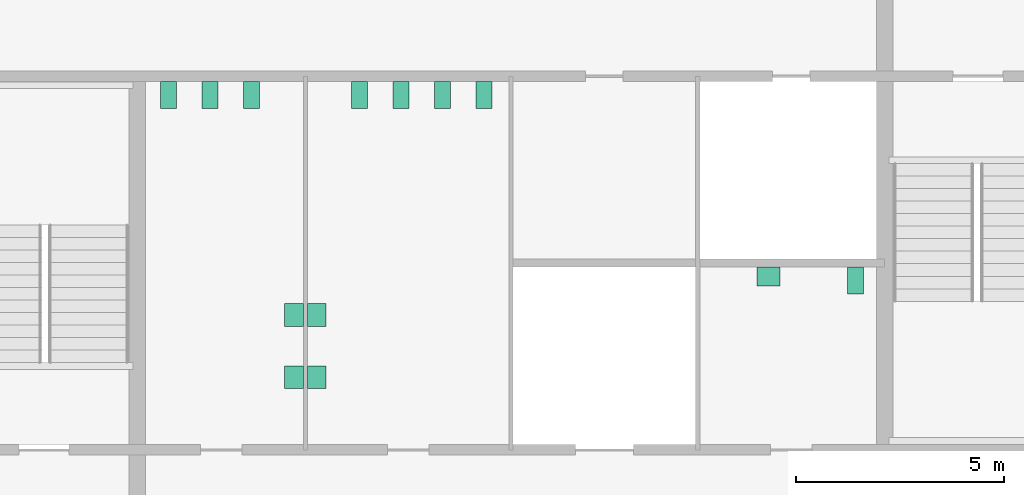
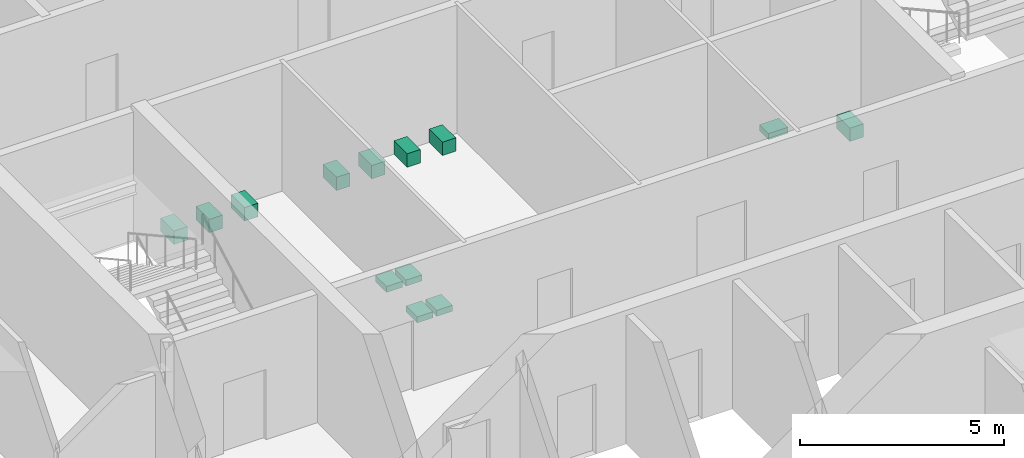
# One storey, part 13 of 13: 13 sanitary terminals.
"""IFC4 building model written with IfcOpenShell, lengths in metres."""

from ifc_helpers import new_model, si_unit, direction, frame, origin, origin_2d, place, context, subcontext, project, spatial, rectangle, extrude, material, type_object, element, save


model = new_model("IFC4")

# Units and contexts
model_context = context("Model", 3, precision=1e-05, world=origin(), true_north=direction((0.0, 1.0)))
body_context = subcontext(model_context, "Body", "Model", "MODEL_VIEW")
ifc_project = project(units=[si_unit("LENGTHUNIT", "METRE"), si_unit("AREAUNIT", "SQUARE_METRE"), si_unit("VOLUMEUNIT", "CUBIC_METRE"), si_unit("PLANEANGLEUNIT", "RADIAN"), si_unit("MASSUNIT", "GRAM", prefix="KILO")], contexts=[model_context])

# Site, building, storey
site_placement = place(None, origin())
site = spatial("IfcSite", under=ifc_project, at=site_placement, CompositionType="ELEMENT")
building_placement = place(site_placement, origin())
building = spatial("IfcBuilding", under=site, at=building_placement, Name="Corais Broadcast Tower", CompositionType="ELEMENT")
storey_placement = place(building_placement, frame((0.0, 0.0, 179.60009765625)))
storey = spatial("IfcBuildingStorey", under=building, at=storey_placement, Name="L41", CompositionType="ELEMENT", Elevation=179.60009765625)

# Sanitary terminals
ifc_material_1 = material(Name="Vitreous china", Category="ceramic")
sanitary_terminal_type_1 = type_object("IfcSanitaryTerminalType", Name="WC pan 380x650", PredefinedType="TOILETPAN", material=ifc_material_1)
for number, where, z_axis, x_axis, name in (
    (1, (18.75, 31.050048828125, 0.0), (0.0, 0.0, 1.0), (1.0, 0.0, 0.0), "SW1 WC pan, male toilets L41"),
    (2, (19.75, 31.050048828125, 0.0), (0.0, 0.0, 1.0), (1.0, 0.0, 0.0), "SW1 WC pan, male toilets L41"),
    (3, (20.75, 31.050048828125, 0.0), (0.0, 0.0, 1.0), (1.0, 0.0, 0.0), "SW1 WC pan, male toilets L41"),
    (4, (23.35009765625, 31.050048828125, 0.0), (0.0, 0.0, 1.0), (1.0, 0.0, 0.0), "SW1 WC pan, female toilets L41"),
    (5, (24.35009765625, 31.050048828125, 0.0), (0.0, 0.0, 1.0), (1.0, 0.0, 0.0), "SW1 WC pan, female toilets L41"),
    (6, (25.35009765625, 31.050048828125, 0.0), (0.0, 0.0, 1.0), (1.0, 0.0, 0.0), "SW1 WC pan, female toilets L41"),
    (7, (26.35009765625, 31.050048828125, 0.0), (0.0, 0.0, 1.0), (1.0, 0.0, 0.0), "SW1 WC pan, female toilets L41"),
    (8, (35.300048828125, 26.574951171875, 0.0), (0.0, 0.0, 1.0), (1.0, 0.0, 0.0), "SW1 WC pan, accessible WC L41"),
):
    element("IfcSanitaryTerminal", number, at=place(storey_placement, frame(where, z_axis=z_axis, x_axis=x_axis)), inside=storey, type_object=sanitary_terminal_type_1, Name=name, PredefinedType="TOILETPAN", context=body_context, shape_type="SweptSolid", body=[
        extrude(rectangle(XDim=0.3798828125, YDim=0.64990234375, at=origin_2d()), origin(), (0.0, 0.0, 1.0), 0.39990234375),
    ])
ifc_material_2 = material(Name="Vitreous china", Category="ceramic")
sanitary_terminal_type_2 = type_object("IfcSanitaryTerminalType", Name="Wash basin 550x450", PredefinedType="WASHHANDBASIN", material=ifc_material_2)
for number, where, z_axis, x_axis, name in (
    (9, (21.77490234375, 24.25, 0.69970703125), (0.0, 0.0, 1.0), (1.0, 0.0, 0.0), "WB1 wash basin, male toilets L41"),
    (10, (21.77490234375, 25.75, 0.69970703125), (0.0, 0.0, 1.0), (1.0, 0.0, 0.0), "WB1 wash basin, male toilets L41"),
    (11, (22.324951171875, 24.25, 0.69970703125), (0.0, 0.0, 1.0), (1.0, 0.0, 0.0), "WB1 wash basin, female toilets L41"),
    (12, (22.324951171875, 25.75, 0.69970703125), (0.0, 0.0, 1.0), (1.0, 0.0, 0.0), "WB1 wash basin, female toilets L41"),
):
    element("IfcSanitaryTerminal", number, at=place(storey_placement, frame(where, z_axis=z_axis, x_axis=x_axis)), inside=storey, type_object=sanitary_terminal_type_2, Name=name, PredefinedType="WASHHANDBASIN", context=body_context, shape_type="SweptSolid", body=[
        extrude(rectangle(XDim=0.449951171875, YDim=0.550048828125, at=origin_2d()), origin(), (0.0, 0.0, 1.0), 0.179931640625),
    ])
sanitary_terminal_placement = place(storey_placement, frame((33.199951171875, 26.675048828125, 0.69970703125), z_axis=(0.0, 0.0, 1.0), x_axis=(1.0, 0.0, 0.0)))
element("IfcSanitaryTerminal", 13, at=sanitary_terminal_placement, inside=storey, type_object=sanitary_terminal_type_2, Name="WB1 wash basin, accessible WC L41", PredefinedType="WASHHANDBASIN", context=body_context, shape_type="SweptSolid", body=[
    extrude(rectangle(XDim=0.550048828125, YDim=0.449951171875, at=origin_2d()), origin(), (0.0, 0.0, 1.0), 0.179931640625),
])

save(model, "model.ifc")
